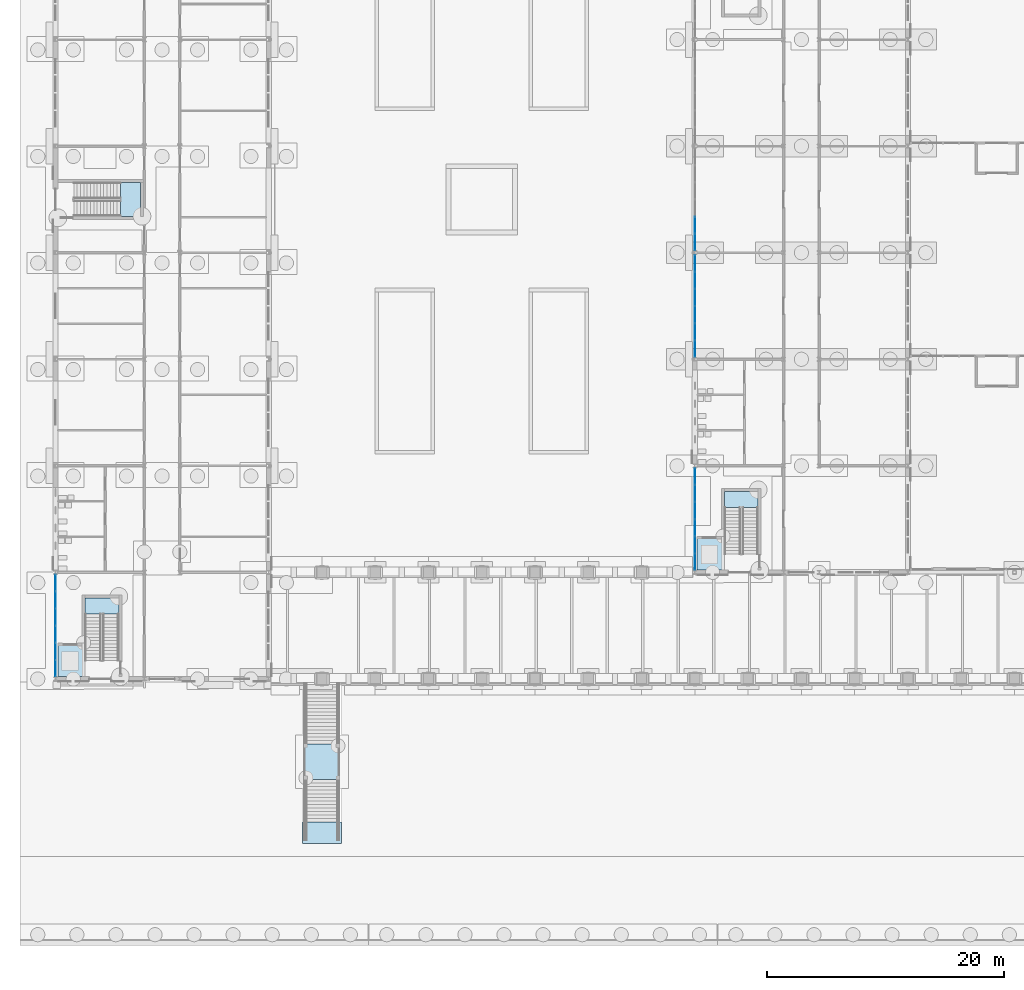
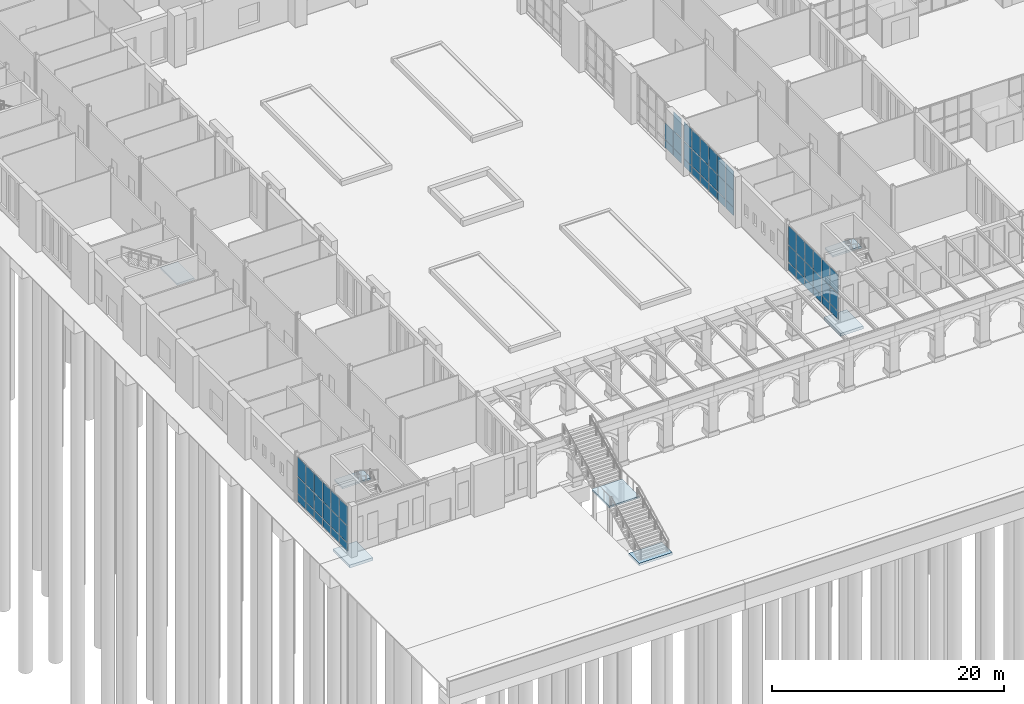
# One storey, part 71 of 168: 59 plates, 7 slabs, 8 elements without a shape of their own.
"""IFC4 building model written with IfcOpenShell, lengths in metres."""

from ifc_helpers import new_model, si_unit, direction, frame, origin, origin_2d, place, context, subcontext, project, spatial, polyline, rectangle, outline, extrude, material, layer, layer_set, type_object, element, aggregate, save


model = new_model("IFC4")

# Units and contexts
model_context = context("Model", 3, precision=1e-05, world=origin(), true_north=direction((0.0, 1.0)))
body_context = subcontext(model_context, "Body", "Model", "MODEL_VIEW")
ifc_project = project(units=[si_unit("LENGTHUNIT", "METRE"), si_unit("AREAUNIT", "SQUARE_METRE"), si_unit("VOLUMEUNIT", "CUBIC_METRE"), si_unit("PLANEANGLEUNIT", "RADIAN"), si_unit("MASSUNIT", "GRAM", prefix="KILO")], contexts=[model_context])

# Site, building, storey
site_placement = place(None, origin())
site = spatial("IfcSite", under=ifc_project, at=site_placement, CompositionType="ELEMENT")
building_placement = place(site_placement, origin())
building = spatial("IfcBuilding", under=site, at=building_placement, Name="Golden Quay Civic Hall", CompositionType="ELEMENT")
storey_placement = place(building_placement, origin())
storey = spatial("IfcBuildingStorey", under=building, at=storey_placement, Name="L00", CompositionType="ELEMENT", Elevation=0.0)

# Stair, slab
ifc_material_1 = material(Name="Concrete C35/45", Category="concrete")
stair_type_1 = type_object("IfcStairType", Name="Concrete stair 1350 wide 30 risers of 180.0", PredefinedType="HALF_TURN_STAIR", material=ifc_material_1)
stair_1_placement = place(storey_placement, origin())
stair_1 = element("IfcStair", 1, at=stair_1_placement, inside=storey, type_object=stair_type_1, Name="L00 Stair WO-S", PredefinedType="HALF_TURN_STAIR")
ifc_material_2 = material(Name="Concrete C35/45", Category="concrete")
ifc_layer_1 = layer(ifc_material_2, 0.199951171875)
ifc_layer_set_1 = layer_set([ifc_layer_1], Name="Concrete stair landing 200, Concrete C35/45")
slab_type_1 = type_object("IfcSlabType", Name="Concrete stair landing 200", PredefinedType="LANDING", material=ifc_layer_set_1)
slab_1_placement = place(storey_placement, frame((0.0, 0.0, 2.5)))
slab_1 = element("IfcSlab", 2, at=slab_1_placement, type_object=slab_type_1, Name="WO-S landing 1", PredefinedType="LANDING", context=body_context, shape_type="SweptSolid", body=[
    extrude(outline(polyline([(5.35009765625, -3.530029296875), (5.35009765625, -2.14990234375), (2.5, -2.14990234375), (2.5, -3.530029296875), (5.35009765625, -3.530029296875)])), origin(), (0.0, 0.0, 1.0), 0.199951171875),
])
aggregate(stair_1, [slab_1])

stair_2_placement = place(storey_placement, origin())
stair_2 = element("IfcStair", 3, at=stair_2_placement, inside=storey, type_object=stair_type_1, Name="L00 Stair WO-M", PredefinedType="HALF_TURN_STAIR")
slab_2_placement = place(storey_placement, frame((0.0, 0.0, 2.5)))
slab_2 = element("IfcSlab", 4, at=slab_2_placement, type_object=slab_type_1, Name="WO-M landing 1", PredefinedType="LANDING", context=body_context, shape_type="SweptSolid", body=[
    extrude(outline(polyline([(5.469970703125, 30.074951171875), (7.175048828125, 30.074951171875), (7.175048828125, 32.925048828125), (5.469970703125, 32.925048828125), (5.469970703125, 30.074951171875)])), origin(), (0.0, 0.0, 1.0), 0.199951171875),
])
aggregate(stair_2, [slab_2])

stair_3_placement = place(storey_placement, origin())
stair_3 = element("IfcStair", 5, at=stair_3_placement, inside=storey, type_object=stair_type_1, Name="L00 Stair WM-S", PredefinedType="HALF_TURN_STAIR")
slab_3_placement = place(storey_placement, frame((0.0, 0.0, 2.5)))
slab_3 = element("IfcSlab", 6, at=slab_3_placement, type_object=slab_type_1, Name="WM-S landing 1", PredefinedType="LANDING", context=body_context, shape_type="SweptSolid", body=[
    extrude(outline(polyline([(59.35009765625, 5.469970703125), (59.35009765625, 6.85009765625), (56.5, 6.85009765625), (56.5, 5.469970703125), (59.35009765625, 5.469970703125)])), origin(), (0.0, 0.0, 1.0), 0.199951171875),
])
aggregate(stair_3, [slab_3])

# Curtain wall, plates
ifc_material_3 = material(Name="Glass, laminated double glazed", Category="glass")
ifc_layer_2 = layer(ifc_material_3, 0.199951171875)
ifc_layer_set_2 = layer_set([ifc_layer_2], Name="Glazed core strip curtain wall")
curtain_wall_type = type_object("IfcCurtainWallType", Name="Glazed core strip curtain wall", PredefinedType="NOTDEFINED", material=ifc_layer_set_2)
curtain_wall_1_placement = place(storey_placement, origin())
curtain_wall_1 = element("IfcCurtainWall", 7, at=curtain_wall_1_placement, inside=storey, type_object=curtain_wall_type, Name="Glazed core strip curtain wall L00 1", PredefinedType="NOTDEFINED")
ifc_material_4 = material(Name="Glass, laminated double glazed", Category="glass")
ifc_layer_3 = layer(ifc_material_4, 0.028076171875)
ifc_layer_set_3 = layer_set([ifc_layer_3], Name="Double glazed curtain wall panel 28")
plate_type = type_object("IfcPlateType", Name="Double glazed curtain wall panel 28", PredefinedType="CURTAIN_PANEL", material=ifc_layer_set_3)
plate_1_placement = place(storey_placement, frame((0.0, -8.110107421875, 0.06005859375), z_axis=(0.0, 0.0, 1.0), x_axis=(0.0, 1.0, 0.0)))
plate_1 = element("IfcPlate", 8, at=plate_1_placement, type_object=plate_type, Name="CW2 panel 1.1", PredefinedType="CURTAIN_PANEL", context=body_context, shape_type="SweptSolid", body=[
    extrude(rectangle(XDim=1.360107421875, YDim=0.028076171875, at=origin_2d()), origin(), (0.0, 0.0, 1.0), 0.81005859375),
])
plate_2_placement = place(storey_placement, frame((0.0, -8.110107421875, 0.93017578125), z_axis=(0.0, 0.0, 1.0), x_axis=(0.0, 1.0, 0.0)))
plate_2 = element("IfcPlate", 9, at=plate_2_placement, type_object=plate_type, Name="CW2 panel 1.2", PredefinedType="CURTAIN_PANEL", context=body_context, shape_type="SweptSolid", body=[
    extrude(rectangle(XDim=1.360107421875, YDim=0.028076171875, at=origin_2d()), origin(), (0.0, 0.0, 1.0), 1.739990234375),
])
plate_3_placement = place(storey_placement, frame((0.0, -8.110107421875, 2.72998046875), z_axis=(0.0, 0.0, 1.0), x_axis=(0.0, 1.0, 0.0)))
plate_3 = element("IfcPlate", 10, at=plate_3_placement, type_object=plate_type, Name="CW2 panel 1.3", PredefinedType="CURTAIN_PANEL", context=body_context, shape_type="SweptSolid", body=[
    extrude(rectangle(XDim=1.360107421875, YDim=0.028076171875, at=origin_2d()), origin(), (0.0, 0.0, 1.0), 2.010009765625),
])
plate_4_placement = place(storey_placement, frame((0.0, -6.675048828125, 0.06005859375), z_axis=(0.0, 0.0, 1.0), x_axis=(0.0, 1.0, 0.0)))
plate_4 = element("IfcPlate", 11, at=plate_4_placement, type_object=plate_type, Name="CW2 panel 2.1", PredefinedType="CURTAIN_PANEL", context=body_context, shape_type="SweptSolid", body=[
    extrude(rectangle(XDim=1.389892578125, YDim=0.028076171875, at=origin_2d()), origin(), (0.0, 0.0, 1.0), 0.81005859375),
])
plate_5_placement = place(storey_placement, frame((0.0, -6.675048828125, 0.93017578125), z_axis=(0.0, 0.0, 1.0), x_axis=(0.0, 1.0, 0.0)))
plate_5 = element("IfcPlate", 12, at=plate_5_placement, type_object=plate_type, Name="CW2 panel 2.2", PredefinedType="CURTAIN_PANEL", context=body_context, shape_type="SweptSolid", body=[
    extrude(rectangle(XDim=1.389892578125, YDim=0.028076171875, at=origin_2d()), origin(), (0.0, 0.0, 1.0), 1.739990234375),
])
plate_6_placement = place(storey_placement, frame((0.0, -6.675048828125, 2.72998046875), z_axis=(0.0, 0.0, 1.0), x_axis=(0.0, 1.0, 0.0)))
plate_6 = element("IfcPlate", 13, at=plate_6_placement, type_object=plate_type, Name="CW2 panel 2.3", PredefinedType="CURTAIN_PANEL", context=body_context, shape_type="SweptSolid", body=[
    extrude(rectangle(XDim=1.389892578125, YDim=0.028076171875, at=origin_2d()), origin(), (0.0, 0.0, 1.0), 2.010009765625),
])
plate_7_placement = place(storey_placement, frame((0.0, -5.22509765625, 0.06005859375), z_axis=(0.0, 0.0, 1.0), x_axis=(0.0, 1.0, 0.0)))
plate_7 = element("IfcPlate", 14, at=plate_7_placement, type_object=plate_type, Name="CW2 panel 3.1", PredefinedType="CURTAIN_PANEL", context=body_context, shape_type="SweptSolid", body=[
    extrude(rectangle(XDim=1.389892578125, YDim=0.028076171875, at=origin_2d()), origin(), (0.0, 0.0, 1.0), 0.81005859375),
])
plate_8_placement = place(storey_placement, frame((0.0, -5.22509765625, 0.93017578125), z_axis=(0.0, 0.0, 1.0), x_axis=(0.0, 1.0, 0.0)))
plate_8 = element("IfcPlate", 15, at=plate_8_placement, type_object=plate_type, Name="CW2 panel 3.2", PredefinedType="CURTAIN_PANEL", context=body_context, shape_type="SweptSolid", body=[
    extrude(rectangle(XDim=1.389892578125, YDim=0.028076171875, at=origin_2d()), origin(), (0.0, 0.0, 1.0), 1.739990234375),
])
plate_9_placement = place(storey_placement, frame((0.0, -5.22509765625, 2.72998046875), z_axis=(0.0, 0.0, 1.0), x_axis=(0.0, 1.0, 0.0)))
plate_9 = element("IfcPlate", 16, at=plate_9_placement, type_object=plate_type, Name="CW2 panel 3.3", PredefinedType="CURTAIN_PANEL", context=body_context, shape_type="SweptSolid", body=[
    extrude(rectangle(XDim=1.389892578125, YDim=0.028076171875, at=origin_2d()), origin(), (0.0, 0.0, 1.0), 2.010009765625),
])
plate_10_placement = place(storey_placement, frame((0.0, -3.77490234375, 0.06005859375), z_axis=(0.0, 0.0, 1.0), x_axis=(0.0, 1.0, 0.0)))
plate_10 = element("IfcPlate", 17, at=plate_10_placement, type_object=plate_type, Name="CW2 panel 4.1", PredefinedType="CURTAIN_PANEL", context=body_context, shape_type="SweptSolid", body=[
    extrude(rectangle(XDim=1.389892578125, YDim=0.028076171875, at=origin_2d()), origin(), (0.0, 0.0, 1.0), 0.81005859375),
])
plate_11_placement = place(storey_placement, frame((0.0, -3.77490234375, 0.93017578125), z_axis=(0.0, 0.0, 1.0), x_axis=(0.0, 1.0, 0.0)))
plate_11 = element("IfcPlate", 18, at=plate_11_placement, type_object=plate_type, Name="CW2 panel 4.2", PredefinedType="CURTAIN_PANEL", context=body_context, shape_type="SweptSolid", body=[
    extrude(rectangle(XDim=1.389892578125, YDim=0.028076171875, at=origin_2d()), origin(), (0.0, 0.0, 1.0), 1.739990234375),
])
plate_12_placement = place(storey_placement, frame((0.0, -3.77490234375, 2.72998046875), z_axis=(0.0, 0.0, 1.0), x_axis=(0.0, 1.0, 0.0)))
plate_12 = element("IfcPlate", 19, at=plate_12_placement, type_object=plate_type, Name="CW2 panel 4.3", PredefinedType="CURTAIN_PANEL", context=body_context, shape_type="SweptSolid", body=[
    extrude(rectangle(XDim=1.389892578125, YDim=0.028076171875, at=origin_2d()), origin(), (0.0, 0.0, 1.0), 2.010009765625),
])
plate_13_placement = place(storey_placement, frame((0.0, -2.324951171875, 0.06005859375), z_axis=(0.0, 0.0, 1.0), x_axis=(0.0, 1.0, 0.0)))
plate_13 = element("IfcPlate", 20, at=plate_13_placement, type_object=plate_type, Name="CW2 panel 5.1", PredefinedType="CURTAIN_PANEL", context=body_context, shape_type="SweptSolid", body=[
    extrude(rectangle(XDim=1.389892578125, YDim=0.028076171875, at=origin_2d()), origin(), (0.0, 0.0, 1.0), 0.81005859375),
])
plate_14_placement = place(storey_placement, frame((0.0, -2.324951171875, 0.93017578125), z_axis=(0.0, 0.0, 1.0), x_axis=(0.0, 1.0, 0.0)))
plate_14 = element("IfcPlate", 21, at=plate_14_placement, type_object=plate_type, Name="CW2 panel 5.2", PredefinedType="CURTAIN_PANEL", context=body_context, shape_type="SweptSolid", body=[
    extrude(rectangle(XDim=1.389892578125, YDim=0.028076171875, at=origin_2d()), origin(), (0.0, 0.0, 1.0), 1.739990234375),
])
plate_15_placement = place(storey_placement, frame((0.0, -2.324951171875, 2.72998046875), z_axis=(0.0, 0.0, 1.0), x_axis=(0.0, 1.0, 0.0)))
plate_15 = element("IfcPlate", 22, at=plate_15_placement, type_object=plate_type, Name="CW2 panel 5.3", PredefinedType="CURTAIN_PANEL", context=body_context, shape_type="SweptSolid", body=[
    extrude(rectangle(XDim=1.389892578125, YDim=0.028076171875, at=origin_2d()), origin(), (0.0, 0.0, 1.0), 2.010009765625),
])
plate_16_placement = place(storey_placement, frame((0.0, -0.889892578125, 0.06005859375), z_axis=(0.0, 0.0, 1.0), x_axis=(0.0, 1.0, 0.0)))
plate_16 = element("IfcPlate", 23, at=plate_16_placement, type_object=plate_type, Name="CW2 panel 6.1", PredefinedType="CURTAIN_PANEL", context=body_context, shape_type="SweptSolid", body=[
    extrude(rectangle(XDim=1.360107421875, YDim=0.028076171875, at=origin_2d()), origin(), (0.0, 0.0, 1.0), 0.81005859375),
])
plate_17_placement = place(storey_placement, frame((0.0, -0.889892578125, 0.93017578125), z_axis=(0.0, 0.0, 1.0), x_axis=(0.0, 1.0, 0.0)))
plate_17 = element("IfcPlate", 24, at=plate_17_placement, type_object=plate_type, Name="CW2 panel 6.2", PredefinedType="CURTAIN_PANEL", context=body_context, shape_type="SweptSolid", body=[
    extrude(rectangle(XDim=1.360107421875, YDim=0.028076171875, at=origin_2d()), origin(), (0.0, 0.0, 1.0), 1.739990234375),
])
plate_18_placement = place(storey_placement, frame((0.0, -0.889892578125, 2.72998046875), z_axis=(0.0, 0.0, 1.0), x_axis=(0.0, 1.0, 0.0)))
plate_18 = element("IfcPlate", 25, at=plate_18_placement, type_object=plate_type, Name="CW2 panel 6.3", PredefinedType="CURTAIN_PANEL", context=body_context, shape_type="SweptSolid", body=[
    extrude(rectangle(XDim=1.360107421875, YDim=0.028076171875, at=origin_2d()), origin(), (0.0, 0.0, 1.0), 2.010009765625),
])
aggregate(curtain_wall_1, [plate_1, plate_2, plate_3, plate_4, plate_5, plate_6, plate_7, plate_8, plate_9, plate_10, plate_11, plate_12, plate_13, plate_14, plate_15, plate_16, plate_17, plate_18])

curtain_wall_2_placement = place(storey_placement, origin())
curtain_wall_2 = element("IfcCurtainWall", 26, at=curtain_wall_2_placement, inside=storey, type_object=curtain_wall_type, Name="Glazed core strip curtain wall L00 3", PredefinedType="NOTDEFINED")
plate_19_placement = place(storey_placement, frame((54.0, 0.8857421875, 0.06005859375), z_axis=(0.0, 0.0, 1.0), x_axis=(0.0, 1.0, 0.0)))
plate_19 = element("IfcPlate", 27, at=plate_19_placement, type_object=plate_type, Name="CW2 panel 1.1", PredefinedType="CURTAIN_PANEL", context=body_context, shape_type="SweptSolid", body=[
    extrude(rectangle(XDim=1.361572265625, YDim=0.028076171875, at=origin_2d()), origin(), (0.0, 0.0, 1.0), 0.81005859375),
])
plate_20_placement = place(storey_placement, frame((54.0, 0.8857421875, 0.93017578125), z_axis=(0.0, 0.0, 1.0), x_axis=(0.0, 1.0, 0.0)))
plate_20 = element("IfcPlate", 28, at=plate_20_placement, type_object=plate_type, Name="CW2 panel 1.2", PredefinedType="CURTAIN_PANEL", context=body_context, shape_type="SweptSolid", body=[
    extrude(rectangle(XDim=1.361572265625, YDim=0.028076171875, at=origin_2d()), origin(), (0.0, 0.0, 1.0), 1.739990234375),
])
plate_21_placement = place(storey_placement, frame((54.0, 0.8857421875, 2.72998046875), z_axis=(0.0, 0.0, 1.0), x_axis=(0.0, 1.0, 0.0)))
plate_21 = element("IfcPlate", 29, at=plate_21_placement, type_object=plate_type, Name="CW2 panel 1.3", PredefinedType="CURTAIN_PANEL", context=body_context, shape_type="SweptSolid", body=[
    extrude(rectangle(XDim=1.361572265625, YDim=0.028076171875, at=origin_2d()), origin(), (0.0, 0.0, 1.0), 2.010009765625),
])
plate_22_placement = place(storey_placement, frame((54.0, 2.322509765625, 0.06005859375), z_axis=(0.0, 0.0, 1.0), x_axis=(0.0, 1.0, 0.0)))
plate_22 = element("IfcPlate", 30, at=plate_22_placement, type_object=plate_type, Name="CW2 panel 2.1", PredefinedType="CURTAIN_PANEL", context=body_context, shape_type="SweptSolid", body=[
    extrude(rectangle(XDim=1.3916015625, YDim=0.028076171875, at=origin_2d()), origin(), (0.0, 0.0, 1.0), 0.81005859375),
])
plate_23_placement = place(storey_placement, frame((54.0, 2.322509765625, 0.93017578125), z_axis=(0.0, 0.0, 1.0), x_axis=(0.0, 1.0, 0.0)))
plate_23 = element("IfcPlate", 31, at=plate_23_placement, type_object=plate_type, Name="CW2 panel 2.2", PredefinedType="CURTAIN_PANEL", context=body_context, shape_type="SweptSolid", body=[
    extrude(rectangle(XDim=1.3916015625, YDim=0.028076171875, at=origin_2d()), origin(), (0.0, 0.0, 1.0), 1.739990234375),
])
plate_24_placement = place(storey_placement, frame((54.0, 2.322509765625, 2.72998046875), z_axis=(0.0, 0.0, 1.0), x_axis=(0.0, 1.0, 0.0)))
plate_24 = element("IfcPlate", 32, at=plate_24_placement, type_object=plate_type, Name="CW2 panel 2.3", PredefinedType="CURTAIN_PANEL", context=body_context, shape_type="SweptSolid", body=[
    extrude(rectangle(XDim=1.3916015625, YDim=0.028076171875, at=origin_2d()), origin(), (0.0, 0.0, 1.0), 2.010009765625),
])
plate_25_placement = place(storey_placement, frame((54.0, 3.774169921875, 0.06005859375), z_axis=(0.0, 0.0, 1.0), x_axis=(0.0, 1.0, 0.0)))
plate_25 = element("IfcPlate", 33, at=plate_25_placement, type_object=plate_type, Name="CW2 panel 3.1", PredefinedType="CURTAIN_PANEL", context=body_context, shape_type="SweptSolid", body=[
    extrude(rectangle(XDim=1.3916015625, YDim=0.028076171875, at=origin_2d()), origin(), (0.0, 0.0, 1.0), 0.81005859375),
])
plate_26_placement = place(storey_placement, frame((54.0, 3.774169921875, 0.93017578125), z_axis=(0.0, 0.0, 1.0), x_axis=(0.0, 1.0, 0.0)))
plate_26 = element("IfcPlate", 34, at=plate_26_placement, type_object=plate_type, Name="CW2 panel 3.2", PredefinedType="CURTAIN_PANEL", context=body_context, shape_type="SweptSolid", body=[
    extrude(rectangle(XDim=1.3916015625, YDim=0.028076171875, at=origin_2d()), origin(), (0.0, 0.0, 1.0), 1.739990234375),
])
plate_27_placement = place(storey_placement, frame((54.0, 3.774169921875, 2.72998046875), z_axis=(0.0, 0.0, 1.0), x_axis=(0.0, 1.0, 0.0)))
plate_27 = element("IfcPlate", 35, at=plate_27_placement, type_object=plate_type, Name="CW2 panel 3.3", PredefinedType="CURTAIN_PANEL", context=body_context, shape_type="SweptSolid", body=[
    extrude(rectangle(XDim=1.3916015625, YDim=0.028076171875, at=origin_2d()), origin(), (0.0, 0.0, 1.0), 2.010009765625),
])
plate_28_placement = place(storey_placement, frame((54.0, 5.225830078125, 0.06005859375), z_axis=(0.0, 0.0, 1.0), x_axis=(0.0, 1.0, 0.0)))
plate_28 = element("IfcPlate", 36, at=plate_28_placement, type_object=plate_type, Name="CW2 panel 4.1", PredefinedType="CURTAIN_PANEL", context=body_context, shape_type="SweptSolid", body=[
    extrude(rectangle(XDim=1.3916015625, YDim=0.028076171875, at=origin_2d()), origin(), (0.0, 0.0, 1.0), 0.81005859375),
])
plate_29_placement = place(storey_placement, frame((54.0, 5.225830078125, 0.93017578125), z_axis=(0.0, 0.0, 1.0), x_axis=(0.0, 1.0, 0.0)))
plate_29 = element("IfcPlate", 37, at=plate_29_placement, type_object=plate_type, Name="CW2 panel 4.2", PredefinedType="CURTAIN_PANEL", context=body_context, shape_type="SweptSolid", body=[
    extrude(rectangle(XDim=1.3916015625, YDim=0.028076171875, at=origin_2d()), origin(), (0.0, 0.0, 1.0), 1.739990234375),
])
plate_30_placement = place(storey_placement, frame((54.0, 5.225830078125, 2.72998046875), z_axis=(0.0, 0.0, 1.0), x_axis=(0.0, 1.0, 0.0)))
plate_30 = element("IfcPlate", 38, at=plate_30_placement, type_object=plate_type, Name="CW2 panel 4.3", PredefinedType="CURTAIN_PANEL", context=body_context, shape_type="SweptSolid", body=[
    extrude(rectangle(XDim=1.3916015625, YDim=0.028076171875, at=origin_2d()), origin(), (0.0, 0.0, 1.0), 2.010009765625),
])
plate_31_placement = place(storey_placement, frame((54.0, 6.677490234375, 0.06005859375), z_axis=(0.0, 0.0, 1.0), x_axis=(0.0, 1.0, 0.0)))
plate_31 = element("IfcPlate", 39, at=plate_31_placement, type_object=plate_type, Name="CW2 panel 5.1", PredefinedType="CURTAIN_PANEL", context=body_context, shape_type="SweptSolid", body=[
    extrude(rectangle(XDim=1.3916015625, YDim=0.028076171875, at=origin_2d()), origin(), (0.0, 0.0, 1.0), 0.81005859375),
])
plate_32_placement = place(storey_placement, frame((54.0, 6.677490234375, 0.93017578125), z_axis=(0.0, 0.0, 1.0), x_axis=(0.0, 1.0, 0.0)))
plate_32 = element("IfcPlate", 40, at=plate_32_placement, type_object=plate_type, Name="CW2 panel 5.2", PredefinedType="CURTAIN_PANEL", context=body_context, shape_type="SweptSolid", body=[
    extrude(rectangle(XDim=1.3916015625, YDim=0.028076171875, at=origin_2d()), origin(), (0.0, 0.0, 1.0), 1.739990234375),
])
plate_33_placement = place(storey_placement, frame((54.0, 6.677490234375, 2.72998046875), z_axis=(0.0, 0.0, 1.0), x_axis=(0.0, 1.0, 0.0)))
plate_33 = element("IfcPlate", 41, at=plate_33_placement, type_object=plate_type, Name="CW2 panel 5.3", PredefinedType="CURTAIN_PANEL", context=body_context, shape_type="SweptSolid", body=[
    extrude(rectangle(XDim=1.3916015625, YDim=0.028076171875, at=origin_2d()), origin(), (0.0, 0.0, 1.0), 2.010009765625),
])
plate_34_placement = place(storey_placement, frame((54.0, 8.1142578125, 0.06005859375), z_axis=(0.0, 0.0, 1.0), x_axis=(0.0, 1.0, 0.0)))
plate_34 = element("IfcPlate", 42, at=plate_34_placement, type_object=plate_type, Name="CW2 panel 6.1", PredefinedType="CURTAIN_PANEL", context=body_context, shape_type="SweptSolid", body=[
    extrude(rectangle(XDim=1.361572265625, YDim=0.028076171875, at=origin_2d()), origin(), (0.0, 0.0, 1.0), 0.81005859375),
])
plate_35_placement = place(storey_placement, frame((54.0, 8.1142578125, 0.93017578125), z_axis=(0.0, 0.0, 1.0), x_axis=(0.0, 1.0, 0.0)))
plate_35 = element("IfcPlate", 43, at=plate_35_placement, type_object=plate_type, Name="CW2 panel 6.2", PredefinedType="CURTAIN_PANEL", context=body_context, shape_type="SweptSolid", body=[
    extrude(rectangle(XDim=1.361572265625, YDim=0.028076171875, at=origin_2d()), origin(), (0.0, 0.0, 1.0), 1.739990234375),
])
plate_36_placement = place(storey_placement, frame((54.0, 8.1142578125, 2.72998046875), z_axis=(0.0, 0.0, 1.0), x_axis=(0.0, 1.0, 0.0)))
plate_36 = element("IfcPlate", 44, at=plate_36_placement, type_object=plate_type, Name="CW2 panel 6.3", PredefinedType="CURTAIN_PANEL", context=body_context, shape_type="SweptSolid", body=[
    extrude(rectangle(XDim=1.361572265625, YDim=0.028076171875, at=origin_2d()), origin(), (0.0, 0.0, 1.0), 2.010009765625),
])
aggregate(curtain_wall_2, [plate_19, plate_20, plate_21, plate_22, plate_23, plate_24, plate_25, plate_26, plate_27, plate_28, plate_29, plate_30, plate_31, plate_32, plate_33, plate_34, plate_35, plate_36])

curtain_wall_3_placement = place(storey_placement, origin())
curtain_wall_3 = element("IfcCurtainWall", 45, at=curtain_wall_3_placement, inside=storey, type_object=curtain_wall_type, Name="Glazed core strip curtain wall L00 4", PredefinedType="NOTDEFINED")
plate_37_placement = place(storey_placement, frame((54.0, 18.8857421875, 0.06005859375), z_axis=(0.0, 0.0, 1.0), x_axis=(0.0, 1.0, 0.0)))
plate_37 = element("IfcPlate", 46, at=plate_37_placement, type_object=plate_type, Name="CW2 panel 1.1", PredefinedType="CURTAIN_PANEL", context=body_context, shape_type="SweptSolid", body=[
    extrude(rectangle(XDim=1.361572265625, YDim=0.028076171875, at=origin_2d()), origin(), (0.0, 0.0, 1.0), 0.81005859375),
])
plate_38_placement = place(storey_placement, frame((54.0, 18.8857421875, 0.93017578125), z_axis=(0.0, 0.0, 1.0), x_axis=(0.0, 1.0, 0.0)))
plate_38 = element("IfcPlate", 47, at=plate_38_placement, type_object=plate_type, Name="CW2 panel 1.2", PredefinedType="CURTAIN_PANEL", context=body_context, shape_type="SweptSolid", body=[
    extrude(rectangle(XDim=1.361572265625, YDim=0.028076171875, at=origin_2d()), origin(), (0.0, 0.0, 1.0), 1.739990234375),
])
plate_39_placement = place(storey_placement, frame((54.0, 18.8857421875, 2.72998046875), z_axis=(0.0, 0.0, 1.0), x_axis=(0.0, 1.0, 0.0)))
plate_39 = element("IfcPlate", 48, at=plate_39_placement, type_object=plate_type, Name="CW2 panel 1.3", PredefinedType="CURTAIN_PANEL", context=body_context, shape_type="SweptSolid", body=[
    extrude(rectangle(XDim=1.361572265625, YDim=0.028076171875, at=origin_2d()), origin(), (0.0, 0.0, 1.0), 2.010009765625),
])
plate_40_placement = place(storey_placement, frame((54.0, 20.322509765625, 0.06005859375), z_axis=(0.0, 0.0, 1.0), x_axis=(0.0, 1.0, 0.0)))
plate_40 = element("IfcPlate", 49, at=plate_40_placement, type_object=plate_type, Name="CW2 panel 2.1", PredefinedType="CURTAIN_PANEL", context=body_context, shape_type="SweptSolid", body=[
    extrude(rectangle(XDim=1.3916015625, YDim=0.028076171875, at=origin_2d()), origin(), (0.0, 0.0, 1.0), 0.81005859375),
])
plate_41_placement = place(storey_placement, frame((54.0, 20.322509765625, 0.93017578125), z_axis=(0.0, 0.0, 1.0), x_axis=(0.0, 1.0, 0.0)))
plate_41 = element("IfcPlate", 50, at=plate_41_placement, type_object=plate_type, Name="CW2 panel 2.2", PredefinedType="CURTAIN_PANEL", context=body_context, shape_type="SweptSolid", body=[
    extrude(rectangle(XDim=1.3916015625, YDim=0.028076171875, at=origin_2d()), origin(), (0.0, 0.0, 1.0), 1.739990234375),
])
plate_42_placement = place(storey_placement, frame((54.0, 20.322509765625, 2.72998046875), z_axis=(0.0, 0.0, 1.0), x_axis=(0.0, 1.0, 0.0)))
plate_42 = element("IfcPlate", 51, at=plate_42_placement, type_object=plate_type, Name="CW2 panel 2.3", PredefinedType="CURTAIN_PANEL", context=body_context, shape_type="SweptSolid", body=[
    extrude(rectangle(XDim=1.3916015625, YDim=0.028076171875, at=origin_2d()), origin(), (0.0, 0.0, 1.0), 2.010009765625),
])
plate_43_placement = place(storey_placement, frame((54.0, 21.774169921875, 0.06005859375), z_axis=(0.0, 0.0, 1.0), x_axis=(0.0, 1.0, 0.0)))
plate_43 = element("IfcPlate", 52, at=plate_43_placement, type_object=plate_type, Name="CW2 panel 3.1", PredefinedType="CURTAIN_PANEL", context=body_context, shape_type="SweptSolid", body=[
    extrude(rectangle(XDim=1.3916015625, YDim=0.028076171875, at=origin_2d()), origin(), (0.0, 0.0, 1.0), 0.81005859375),
])
plate_44_placement = place(storey_placement, frame((54.0, 21.774169921875, 0.93017578125), z_axis=(0.0, 0.0, 1.0), x_axis=(0.0, 1.0, 0.0)))
plate_44 = element("IfcPlate", 53, at=plate_44_placement, type_object=plate_type, Name="CW2 panel 3.2", PredefinedType="CURTAIN_PANEL", context=body_context, shape_type="SweptSolid", body=[
    extrude(rectangle(XDim=1.3916015625, YDim=0.028076171875, at=origin_2d()), origin(), (0.0, 0.0, 1.0), 1.739990234375),
])
plate_45_placement = place(storey_placement, frame((54.0, 21.774169921875, 2.72998046875), z_axis=(0.0, 0.0, 1.0), x_axis=(0.0, 1.0, 0.0)))
plate_45 = element("IfcPlate", 54, at=plate_45_placement, type_object=plate_type, Name="CW2 panel 3.3", PredefinedType="CURTAIN_PANEL", context=body_context, shape_type="SweptSolid", body=[
    extrude(rectangle(XDim=1.3916015625, YDim=0.028076171875, at=origin_2d()), origin(), (0.0, 0.0, 1.0), 2.010009765625),
])
plate_46_placement = place(storey_placement, frame((54.0, 23.225830078125, 0.06005859375), z_axis=(0.0, 0.0, 1.0), x_axis=(0.0, 1.0, 0.0)))
plate_46 = element("IfcPlate", 55, at=plate_46_placement, type_object=plate_type, Name="CW2 panel 4.1", PredefinedType="CURTAIN_PANEL", context=body_context, shape_type="SweptSolid", body=[
    extrude(rectangle(XDim=1.3916015625, YDim=0.028076171875, at=origin_2d()), origin(), (0.0, 0.0, 1.0), 0.81005859375),
])
plate_47_placement = place(storey_placement, frame((54.0, 23.225830078125, 0.93017578125), z_axis=(0.0, 0.0, 1.0), x_axis=(0.0, 1.0, 0.0)))
plate_47 = element("IfcPlate", 56, at=plate_47_placement, type_object=plate_type, Name="CW2 panel 4.2", PredefinedType="CURTAIN_PANEL", context=body_context, shape_type="SweptSolid", body=[
    extrude(rectangle(XDim=1.3916015625, YDim=0.028076171875, at=origin_2d()), origin(), (0.0, 0.0, 1.0), 1.739990234375),
])
plate_48_placement = place(storey_placement, frame((54.0, 23.225830078125, 2.72998046875), z_axis=(0.0, 0.0, 1.0), x_axis=(0.0, 1.0, 0.0)))
plate_48 = element("IfcPlate", 57, at=plate_48_placement, type_object=plate_type, Name="CW2 panel 4.3", PredefinedType="CURTAIN_PANEL", context=body_context, shape_type="SweptSolid", body=[
    extrude(rectangle(XDim=1.3916015625, YDim=0.028076171875, at=origin_2d()), origin(), (0.0, 0.0, 1.0), 2.010009765625),
])
plate_49_placement = place(storey_placement, frame((54.0, 24.677490234375, 0.06005859375), z_axis=(0.0, 0.0, 1.0), x_axis=(0.0, 1.0, 0.0)))
plate_49 = element("IfcPlate", 58, at=plate_49_placement, type_object=plate_type, Name="CW2 panel 5.1", PredefinedType="CURTAIN_PANEL", context=body_context, shape_type="SweptSolid", body=[
    extrude(rectangle(XDim=1.3916015625, YDim=0.028076171875, at=origin_2d()), origin(), (0.0, 0.0, 1.0), 0.81005859375),
])
plate_50_placement = place(storey_placement, frame((54.0, 24.677490234375, 0.93017578125), z_axis=(0.0, 0.0, 1.0), x_axis=(0.0, 1.0, 0.0)))
plate_50 = element("IfcPlate", 59, at=plate_50_placement, type_object=plate_type, Name="CW2 panel 5.2", PredefinedType="CURTAIN_PANEL", context=body_context, shape_type="SweptSolid", body=[
    extrude(rectangle(XDim=1.3916015625, YDim=0.028076171875, at=origin_2d()), origin(), (0.0, 0.0, 1.0), 1.739990234375),
])
plate_51_placement = place(storey_placement, frame((54.0, 24.677490234375, 2.72998046875), z_axis=(0.0, 0.0, 1.0), x_axis=(0.0, 1.0, 0.0)))
plate_51 = element("IfcPlate", 60, at=plate_51_placement, type_object=plate_type, Name="CW2 panel 5.3", PredefinedType="CURTAIN_PANEL", context=body_context, shape_type="SweptSolid", body=[
    extrude(rectangle(XDim=1.3916015625, YDim=0.028076171875, at=origin_2d()), origin(), (0.0, 0.0, 1.0), 2.010009765625),
])
plate_52_placement = place(storey_placement, frame((54.0, 26.1142578125, 0.06005859375), z_axis=(0.0, 0.0, 1.0), x_axis=(0.0, 1.0, 0.0)))
plate_52 = element("IfcPlate", 61, at=plate_52_placement, type_object=plate_type, Name="CW2 panel 6.1", PredefinedType="CURTAIN_PANEL", context=body_context, shape_type="SweptSolid", body=[
    extrude(rectangle(XDim=1.361572265625, YDim=0.028076171875, at=origin_2d()), origin(), (0.0, 0.0, 1.0), 0.81005859375),
])
plate_53_placement = place(storey_placement, frame((54.0, 26.1142578125, 0.93017578125), z_axis=(0.0, 0.0, 1.0), x_axis=(0.0, 1.0, 0.0)))
plate_53 = element("IfcPlate", 62, at=plate_53_placement, type_object=plate_type, Name="CW2 panel 6.2", PredefinedType="CURTAIN_PANEL", context=body_context, shape_type="SweptSolid", body=[
    extrude(rectangle(XDim=1.361572265625, YDim=0.028076171875, at=origin_2d()), origin(), (0.0, 0.0, 1.0), 1.739990234375),
])
plate_54_placement = place(storey_placement, frame((54.0, 26.1142578125, 2.72998046875), z_axis=(0.0, 0.0, 1.0), x_axis=(0.0, 1.0, 0.0)))
plate_54 = element("IfcPlate", 63, at=plate_54_placement, type_object=plate_type, Name="CW2 panel 6.3", PredefinedType="CURTAIN_PANEL", context=body_context, shape_type="SweptSolid", body=[
    extrude(rectangle(XDim=1.361572265625, YDim=0.028076171875, at=origin_2d()), origin(), (0.0, 0.0, 1.0), 2.010009765625),
])
aggregate(curtain_wall_3, [plate_37, plate_38, plate_39, plate_40, plate_41, plate_42, plate_43, plate_44, plate_45, plate_46, plate_47, plate_48, plate_49, plate_50, plate_51, plate_52, plate_53, plate_54])

curtain_wall_4_placement = place(storey_placement, origin())
curtain_wall_4 = element("IfcCurtainWall", 64, at=curtain_wall_4_placement, inside=storey, type_object=curtain_wall_type, Name="Glazed core strip curtain wall L00 5", PredefinedType="NOTDEFINED")
plate_55_placement = place(storey_placement, frame((54.0, 27.8857421875, 0.06005859375), z_axis=(0.0, 0.0, 1.0), x_axis=(0.0, 1.0, 0.0)))
plate_55 = element("IfcPlate", 65, at=plate_55_placement, type_object=plate_type, Name="CW2 panel 1.1", PredefinedType="CURTAIN_PANEL", context=body_context, shape_type="SweptSolid", body=[
    extrude(rectangle(XDim=1.361572265625, YDim=0.028076171875, at=origin_2d()), origin(), (0.0, 0.0, 1.0), 0.81005859375),
])
plate_56_placement = place(storey_placement, frame((54.0, 27.8857421875, 0.93017578125), z_axis=(0.0, 0.0, 1.0), x_axis=(0.0, 1.0, 0.0)))
plate_56 = element("IfcPlate", 66, at=plate_56_placement, type_object=plate_type, Name="CW2 panel 1.2", PredefinedType="CURTAIN_PANEL", context=body_context, shape_type="SweptSolid", body=[
    extrude(rectangle(XDim=1.361572265625, YDim=0.028076171875, at=origin_2d()), origin(), (0.0, 0.0, 1.0), 1.739990234375),
])
plate_57_placement = place(storey_placement, frame((54.0, 27.8857421875, 2.72998046875), z_axis=(0.0, 0.0, 1.0), x_axis=(0.0, 1.0, 0.0)))
plate_57 = element("IfcPlate", 67, at=plate_57_placement, type_object=plate_type, Name="CW2 panel 1.3", PredefinedType="CURTAIN_PANEL", context=body_context, shape_type="SweptSolid", body=[
    extrude(rectangle(XDim=1.361572265625, YDim=0.028076171875, at=origin_2d()), origin(), (0.0, 0.0, 1.0), 2.010009765625),
])
plate_58_placement = place(storey_placement, frame((54.0, 29.322509765625, 0.06005859375), z_axis=(0.0, 0.0, 1.0), x_axis=(0.0, 1.0, 0.0)))
plate_58 = element("IfcPlate", 68, at=plate_58_placement, type_object=plate_type, Name="CW2 panel 2.1", PredefinedType="CURTAIN_PANEL", context=body_context, shape_type="SweptSolid", body=[
    extrude(rectangle(XDim=1.3916015625, YDim=0.028076171875, at=origin_2d()), origin(), (0.0, 0.0, 1.0), 0.81005859375),
])
plate_59_placement = place(storey_placement, frame((54.0, 29.322509765625, 0.93017578125), z_axis=(0.0, 0.0, 1.0), x_axis=(0.0, 1.0, 0.0)))
plate_59 = element("IfcPlate", 69, at=plate_59_placement, type_object=plate_type, Name="CW2 panel 2.2", PredefinedType="CURTAIN_PANEL", context=body_context, shape_type="SweptSolid", body=[
    extrude(rectangle(XDim=1.3916015625, YDim=0.028076171875, at=origin_2d()), origin(), (0.0, 0.0, 1.0), 1.739990234375),
])
aggregate(curtain_wall_4, [plate_55, plate_56, plate_57, plate_58, plate_59])

# Slabs
ifc_material_5 = material(Name="Concrete C40/50", Category="concrete")
ifc_layer_4 = layer(ifc_material_5, 0.300048828125)
ifc_layer_set_4 = layer_set([ifc_layer_4], Name="Lift pit slab 300")
slab_type_2 = type_object("IfcSlabType", Name="Lift pit slab 300", PredefinedType="BASESLAB", material=ifc_layer_set_4)
slab_4_placement = place(storey_placement, frame((0.0, 0.0, -1.800048828125)))
element("IfcSlab", 70, at=slab_4_placement, inside=storey, type_object=slab_type_2, Name="Lift pit slab WO-S", PredefinedType="BASESLAB", context=body_context, shape_type="SweptSolid", body=[
    extrude(outline(polyline([(0.199951171875, -8.800048828125), (0.199951171875, -6.199951171875), (0.199951171875, -5.949951171875), (2.25, -5.949951171875), (2.5, -5.949951171875), (2.5, -8.800048828125), (2.25, -8.800048828125), (0.199951171875, -8.800048828125)])), origin(), (0.0, 0.0, 1.0), 0.300048828125),
])
slab_5_placement = place(storey_placement, frame((0.0, 0.0, -1.800048828125)))
element("IfcSlab", 71, at=slab_5_placement, inside=storey, type_object=slab_type_2, Name="Lift pit slab WM-S", PredefinedType="BASESLAB", context=body_context, shape_type="SweptSolid", body=[
    extrude(outline(polyline([(54.199951171875, 0.199951171875), (54.199951171875, 2.800048828125), (54.199951171875, 3.050048828125), (56.25, 3.050048828125), (56.5, 3.050048828125), (56.5, 0.199951171875), (56.25, 0.199951171875), (54.199951171875, 0.199951171875)])), origin(), (0.0, 0.0, 1.0), 0.300048828125),
])
ifc_material_6 = material(Name="Concrete C30/37", Category="concrete")
ifc_layer_5 = layer(ifc_material_6, 0.25)
ifc_layer_set_5 = layer_set([ifc_layer_5], Name="Public stair foot slab 250")
slab_type_3 = type_object("IfcSlabType", Name="Public stair foot slab 250", PredefinedType="BASESLAB", material=ifc_layer_set_5)
slab_6_placement = place(storey_placement, frame((0.0, 0.0, -0.25)))
element("IfcSlab", 72, at=slab_6_placement, inside=storey, type_object=slab_type_3, Name="Public stair foot slab west", PredefinedType="BASESLAB", context=body_context, shape_type="SweptSolid", body=[
    extrude(outline(polyline([(20.85009765625, -22.89990234375), (24.14990234375, -22.89990234375), (24.14990234375, -21.10009765625), (20.85009765625, -21.10009765625), (20.85009765625, -22.89990234375)])), origin(), (0.0, 0.0, 1.0), 0.25),
])

# Stair, slab
ifc_material_7 = material(Name="Concrete C30/37", Category="concrete")
stair_type_2 = type_object("IfcStairType", Name="Public stair concrete 3000", PredefinedType="TWO_STRAIGHT_RUN_STAIR", material=ifc_material_7)
stair_4_placement = place(storey_placement, origin())
stair_4 = element("IfcStair", 73, at=stair_4_placement, inside=storey, type_object=stair_type_2, Name="Public stair west", PredefinedType="TWO_STRAIGHT_RUN_STAIR")
ifc_material_8 = material(Name="Concrete C30/37", Category="concrete")
ifc_layer_6 = layer(ifc_material_8, 0.199951171875)
ifc_layer_set_6 = layer_set([ifc_layer_6], Name="Public stair landing 200")
slab_type_4 = type_object("IfcSlabType", Name="Public stair landing 200", PredefinedType="LANDING", material=ifc_layer_set_6)
slab_7_placement = place(storey_placement, frame((0.0, 0.0, 2.5)))
slab_7 = element("IfcSlab", 74, at=slab_7_placement, type_object=slab_type_4, Name="ST1 landing 1", PredefinedType="LANDING", context=body_context, shape_type="SweptSolid", body=[
    extrude(outline(polyline([(21.0, -17.5), (24.0, -17.5), (24.0, -14.5), (21.0, -14.5), (21.0, -17.5)])), origin(), (0.0, 0.0, 1.0), 0.199951171875),
])
aggregate(stair_4, [slab_7])

save(model, "model.ifc")
